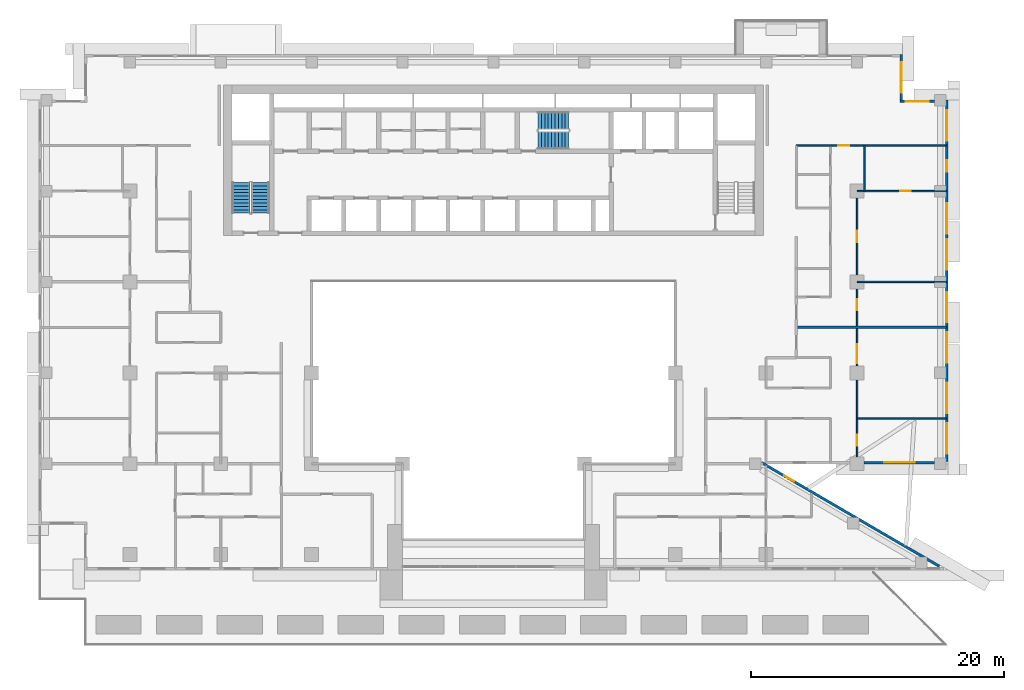
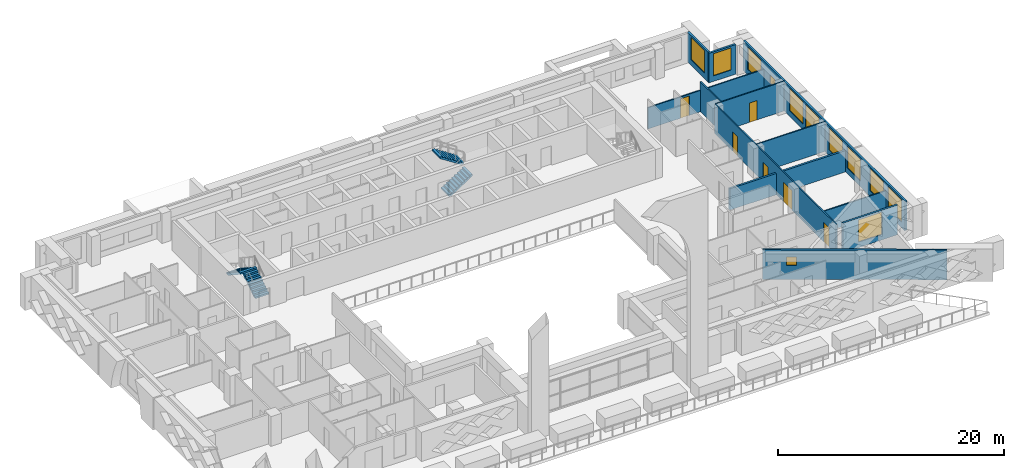
# One storey, part 12 of 17: 12 walls, 12 windows, 6 doors, 4 stair flights, 18 openings, 2 elements without a shape of their own.
"""IFC4 building model written with IfcOpenShell, lengths in metres."""

from ifc_helpers import new_model, si_unit, direction, frame, frame_2d, origin, place, context, subcontext, project, spatial, polyline, rectangle, outline, extrude, material, layer, layer_set, type_object, element, fill, aggregate, save


model = new_model("IFC4")

# Units and contexts
model_context = context("Model", 3, precision=1e-05, world=origin(), true_north=direction((0.0, 1.0)))
body_context = subcontext(model_context, "Body", "Model", "MODEL_VIEW")
ifc_project = project(units=[si_unit("LENGTHUNIT", "METRE"), si_unit("AREAUNIT", "SQUARE_METRE"), si_unit("VOLUMEUNIT", "CUBIC_METRE"), si_unit("PLANEANGLEUNIT", "RADIAN"), si_unit("MASSUNIT", "GRAM", prefix="KILO")], contexts=[model_context])

# Site, building, storey
site_placement = place(None, origin())
site = spatial("IfcSite", under=ifc_project, at=site_placement, CompositionType="ELEMENT")
building_placement = place(site_placement, origin())
building = spatial("IfcBuilding", under=site, at=building_placement, Name="Saffron Iwan Residences", CompositionType="ELEMENT")
storey_placement = place(building_placement, frame((0.0, 0.0, 113.0)))
storey = spatial("IfcBuildingStorey", under=building, at=storey_placement, Name="L29", CompositionType="ELEMENT", Elevation=113.0)

# Wall, opening, window
ifc_material_1 = material(Name="Concrete C40/50", Category="concrete")
ifc_layer_1 = layer(ifc_material_1, 0.199951171875)
ifc_layer_set_1 = layer_set([ifc_layer_1], Name="Concrete C40/50")
wall_type_1 = type_object("IfcWallType", Name="EXTERNAL WALL 200", PredefinedType="SOLIDWALL", material=ifc_layer_set_1)
wall_1_placement = place(storey_placement, frame((85.71923828125, 39.88134765625, 0.0), z_axis=(0.0, 0.0, 1.0), x_axis=(-0.86377618652, 0.503875678716, 0.0)))
wall_1 = element("IfcWall", 1, at=wall_1_placement, inside=storey, type_object=wall_type_1, Name="External wall L29 F0.0", PredefinedType="SOLIDWALL", context=body_context, shape_type="SweptSolid", body=[
    extrude(rectangle(XDim=16.31103515625, YDim=0.199951171875, at=frame_2d((8.155517578125, 0.0))), origin(), (0.0, 0.0, 1.0), 3.199951171875),
])
opening_1_placement = place(wall_1_placement, frame((13.32568359375, 0.0, 1.5)))
opening_1 = element("IfcOpeningElement", 2, at=opening_1_placement, cuts=wall_1, Name="Opening W6", PredefinedType="OPENING", context=body_context, shape_type="SweptSolid", body=[
    extrude(rectangle(XDim=0.89990234375, YDim=0.89990234375, at=frame_2d((0.449951171875, 0.449951171875))), frame((0.0, 0.10986328125, 0.0), z_axis=(0.0, -1.0, 0.0), x_axis=(1.0, 0.0, 0.0)), (0.0, 0.0, 1.0), 0.219970703125),
])
ifc_material_2 = material(Name="Clear glass, laminated double glazed", Category="glass")
window_type_1 = type_object("IfcWindowType", Name="WINDOW 900 x 900 BATH", PartitioningType="SINGLE_PANEL", PredefinedType="WINDOW", material=ifc_material_2)
window_1_placement = place(opening_1_placement, origin())
window_1 = element("IfcWindow", 3, at=window_1_placement, inside=storey, type_object=window_type_1, Name="Window L29 F0.0", OverallHeight=0.89990234375, OverallWidth=0.89990234375, PartitioningType="SINGLE_PANEL", PredefinedType="WINDOW", context=body_context, shape_type="SweptSolid", body=[
    extrude(rectangle(XDim=0.89990234375, YDim=0.89990234375, at=frame_2d((0.449951171875, 0.449951171875))), frame((0.0, 0.030029296875, 0.0), z_axis=(0.0, -1.0, 0.0), x_axis=(1.0, 0.0, 0.0)), (0.0, 0.0, 1.0), 0.06005859375),
])
fill(opening_1, window_1)

wall_2_placement = place(storey_placement, frame((79.75, 48.10009765625, 0.0), z_axis=(0.0, 0.0, 1.0), x_axis=(1.0, 0.0, 0.0)))
wall_2 = element("IfcWall", 4, at=wall_2_placement, inside=storey, type_object=wall_type_1, Name="External wall L29 F1.1", PredefinedType="SOLIDWALL", context=body_context, shape_type="SweptSolid", body=[
    extrude(rectangle(XDim=5.60009765625, YDim=0.199951171875, at=frame_2d((2.800048828125, 0.0))), origin(), (0.0, 0.0, 1.0), 3.199951171875),
])
opening_2_placement = place(wall_2_placement, frame((1.60009765625, 0.0, 0.60009765625)))
opening_2 = element("IfcOpeningElement", 5, at=opening_2_placement, cuts=wall_2, Name="Opening W1", PredefinedType="OPENING", context=body_context, shape_type="SweptSolid", body=[
    extrude(rectangle(XDim=2.39990234375, YDim=2.39990234375, at=frame_2d((1.199951171875, 1.199951171875))), frame((0.0, 0.10986328125, 0.0), z_axis=(0.0, -1.0, 0.0), x_axis=(1.0, 0.0, 0.0)), (0.0, 0.0, 1.0), 0.219970703125),
])
window_type_2 = type_object("IfcWindowType", Name="WINDOW 2400 x 2400", PartitioningType="DOUBLE_PANEL_VERTICAL", PredefinedType="WINDOW", material=ifc_material_2)
window_2_placement = place(opening_2_placement, origin())
window_2 = element("IfcWindow", 6, at=window_2_placement, inside=storey, type_object=window_type_2, Name="Window L29 F1.0", OverallHeight=2.39990234375, OverallWidth=2.39990234375, PartitioningType="DOUBLE_PANEL_VERTICAL", PredefinedType="WINDOW", context=body_context, shape_type="SweptSolid", body=[
    extrude(rectangle(XDim=2.39990234375, YDim=2.39990234375, at=frame_2d((1.199951171875, 1.199951171875))), frame((0.0, 0.030029296875, 0.0), z_axis=(0.0, -1.0, 0.0), x_axis=(1.0, 0.0, 0.0)), (0.0, 0.0, 1.0), 0.06005859375),
])
fill(opening_2, window_2)

# Wall, openings, windows
wall_3_placement = place(storey_placement, frame((86.300048828125, 48.199951171875, 0.0), z_axis=(0.0, 0.0, 1.0), x_axis=(0.0, 1.0, 0.0)))
wall_3 = element("IfcWall", 7, at=wall_3_placement, inside=storey, type_object=wall_type_1, Name="External wall L29 F2.0", PredefinedType="SOLIDWALL", context=body_context, shape_type="SweptSolid", body=[
    extrude(rectangle(XDim=28.60009765625, YDim=0.199951171875, at=frame_2d((14.300048828125, 0.0))), origin(), (0.0, 0.0, 1.0), 3.199951171875),
])
opening_3_placement = place(wall_3_placement, frame((0.60009765625, 0.0, 0.60009765625)))
opening_3 = element("IfcOpeningElement", 8, at=opening_3_placement, cuts=wall_3, Name="Opening W1", PredefinedType="OPENING", context=body_context, shape_type="SweptSolid", body=[
    extrude(rectangle(XDim=2.39990234375, YDim=2.39990234375, at=frame_2d((1.199951171875, 1.199951171875))), frame((0.0, 0.10986328125, 0.0), z_axis=(0.0, -1.0, 0.0), x_axis=(1.0, 0.0, 0.0)), (0.0, 0.0, 1.0), 0.219970703125),
])
opening_4_placement = place(wall_3_placement, frame((3.800048828125, 0.0, 0.60009765625)))
opening_4 = element("IfcOpeningElement", 9, at=opening_4_placement, cuts=wall_3, Name="Opening W1", PredefinedType="OPENING", context=body_context, shape_type="SweptSolid", body=[
    extrude(rectangle(XDim=2.39990234375, YDim=2.39990234375, at=frame_2d((1.199951171875, 1.199951171875))), frame((0.0, 0.10986328125, 0.0), z_axis=(0.0, -1.0, 0.0), x_axis=(1.0, 0.0, 0.0)), (0.0, 0.0, 1.0), 0.219970703125),
])
opening_5_placement = place(wall_3_placement, frame((7.800048828125, 0.0, 0.60009765625)))
opening_5 = element("IfcOpeningElement", 10, at=opening_5_placement, cuts=wall_3, Name="Opening W1", PredefinedType="OPENING", context=body_context, shape_type="SweptSolid", body=[
    extrude(rectangle(XDim=2.39990234375, YDim=2.39990234375, at=frame_2d((1.199951171875, 1.199951171875))), frame((0.0, 0.10986328125, 0.0), z_axis=(0.0, -1.0, 0.0), x_axis=(1.0, 0.0, 0.0)), (0.0, 0.0, 1.0), 0.219970703125),
])
opening_6_placement = place(wall_3_placement, frame((11.0, 0.0, 0.60009765625)))
opening_6 = element("IfcOpeningElement", 11, at=opening_6_placement, cuts=wall_3, Name="Opening W1", PredefinedType="OPENING", context=body_context, shape_type="SweptSolid", body=[
    extrude(rectangle(XDim=2.39990234375, YDim=2.39990234375, at=frame_2d((1.199951171875, 1.199951171875))), frame((0.0, 0.10986328125, 0.0), z_axis=(0.0, -1.0, 0.0), x_axis=(1.0, 0.0, 0.0)), (0.0, 0.0, 1.0), 0.219970703125),
])
opening_7_placement = place(wall_3_placement, frame((15.166748046875, 0.0, 0.60009765625)))
opening_7 = element("IfcOpeningElement", 12, at=opening_7_placement, cuts=wall_3, Name="Opening W1", PredefinedType="OPENING", context=body_context, shape_type="SweptSolid", body=[
    extrude(rectangle(XDim=2.39990234375, YDim=2.39990234375, at=frame_2d((1.199951171875, 1.199951171875))), frame((0.0, 0.10986328125, 0.0), z_axis=(0.0, -1.0, 0.0), x_axis=(1.0, 0.0, 0.0)), (0.0, 0.0, 1.0), 0.219970703125),
])
opening_8_placement = place(wall_3_placement, frame((18.033203125, 0.0, 0.60009765625)))
opening_8 = element("IfcOpeningElement", 13, at=opening_8_placement, cuts=wall_3, Name="Opening W1", PredefinedType="OPENING", context=body_context, shape_type="SweptSolid", body=[
    extrude(rectangle(XDim=2.39990234375, YDim=2.39990234375, at=frame_2d((1.199951171875, 1.199951171875))), frame((0.0, 0.10986328125, 0.0), z_axis=(0.0, -1.0, 0.0), x_axis=(1.0, 0.0, 0.0)), (0.0, 0.0, 1.0), 0.219970703125),
])
opening_9_placement = place(wall_3_placement, frame((22.949951171875, 0.0, 1.5)))
opening_9 = element("IfcOpeningElement", 14, at=opening_9_placement, cuts=wall_3, Name="Opening W6", PredefinedType="OPENING", context=body_context, shape_type="SweptSolid", body=[
    extrude(rectangle(XDim=0.89990234375, YDim=0.89990234375, at=frame_2d((0.449951171875, 0.449951171875))), frame((0.0, 0.10986328125, 0.0), z_axis=(0.0, -1.0, 0.0), x_axis=(1.0, 0.0, 0.0)), (0.0, 0.0, 1.0), 0.219970703125),
])
opening_10_placement = place(wall_3_placement, frame((25.39990234375, 0.0, 0.60009765625)))
opening_10 = element("IfcOpeningElement", 15, at=opening_10_placement, cuts=wall_3, Name="Opening W1", PredefinedType="OPENING", context=body_context, shape_type="SweptSolid", body=[
    extrude(rectangle(XDim=2.39990234375, YDim=2.39990234375, at=frame_2d((1.199951171875, 1.199951171875))), frame((0.0, 0.10986328125, 0.0), z_axis=(0.0, -1.0, 0.0), x_axis=(1.0, 0.0, 0.0)), (0.0, 0.0, 1.0), 0.219970703125),
])
window_3_placement = place(opening_3_placement, origin())
window_3 = element("IfcWindow", 16, at=window_3_placement, inside=storey, type_object=window_type_2, Name="Window L29 F2.0", OverallHeight=2.39990234375, OverallWidth=2.39990234375, PartitioningType="DOUBLE_PANEL_VERTICAL", PredefinedType="WINDOW", context=body_context, shape_type="SweptSolid", body=[
    extrude(rectangle(XDim=2.39990234375, YDim=2.39990234375, at=frame_2d((1.199951171875, 1.199951171875))), frame((0.0, 0.030029296875, 0.0), z_axis=(0.0, -1.0, 0.0), x_axis=(1.0, 0.0, 0.0)), (0.0, 0.0, 1.0), 0.06005859375),
])
fill(opening_3, window_3)
window_4_placement = place(opening_4_placement, origin())
window_4 = element("IfcWindow", 17, at=window_4_placement, inside=storey, type_object=window_type_2, Name="Window L29 F2.1", OverallHeight=2.39990234375, OverallWidth=2.39990234375, PartitioningType="DOUBLE_PANEL_VERTICAL", PredefinedType="WINDOW", context=body_context, shape_type="SweptSolid", body=[
    extrude(rectangle(XDim=2.39990234375, YDim=2.39990234375, at=frame_2d((1.199951171875, 1.199951171875))), frame((0.0, 0.030029296875, 0.0), z_axis=(0.0, -1.0, 0.0), x_axis=(1.0, 0.0, 0.0)), (0.0, 0.0, 1.0), 0.06005859375),
])
fill(opening_4, window_4)
window_5_placement = place(opening_5_placement, origin())
window_5 = element("IfcWindow", 18, at=window_5_placement, inside=storey, type_object=window_type_2, Name="Window L29 F2.2", OverallHeight=2.39990234375, OverallWidth=2.39990234375, PartitioningType="DOUBLE_PANEL_VERTICAL", PredefinedType="WINDOW", context=body_context, shape_type="SweptSolid", body=[
    extrude(rectangle(XDim=2.39990234375, YDim=2.39990234375, at=frame_2d((1.199951171875, 1.199951171875))), frame((0.0, 0.030029296875, 0.0), z_axis=(0.0, -1.0, 0.0), x_axis=(1.0, 0.0, 0.0)), (0.0, 0.0, 1.0), 0.06005859375),
])
fill(opening_5, window_5)
window_6_placement = place(opening_6_placement, origin())
window_6 = element("IfcWindow", 19, at=window_6_placement, inside=storey, type_object=window_type_2, Name="Window L29 F2.3", OverallHeight=2.39990234375, OverallWidth=2.39990234375, PartitioningType="DOUBLE_PANEL_VERTICAL", PredefinedType="WINDOW", context=body_context, shape_type="SweptSolid", body=[
    extrude(rectangle(XDim=2.39990234375, YDim=2.39990234375, at=frame_2d((1.199951171875, 1.199951171875))), frame((0.0, 0.030029296875, 0.0), z_axis=(0.0, -1.0, 0.0), x_axis=(1.0, 0.0, 0.0)), (0.0, 0.0, 1.0), 0.06005859375),
])
fill(opening_6, window_6)
window_7_placement = place(opening_7_placement, origin())
window_7 = element("IfcWindow", 20, at=window_7_placement, inside=storey, type_object=window_type_2, Name="Window L29 F2.4", OverallHeight=2.39990234375, OverallWidth=2.39990234375, PartitioningType="DOUBLE_PANEL_VERTICAL", PredefinedType="WINDOW", context=body_context, shape_type="SweptSolid", body=[
    extrude(rectangle(XDim=2.39990234375, YDim=2.39990234375, at=frame_2d((1.199951171875, 1.199951171875))), frame((0.0, 0.030029296875, 0.0), z_axis=(0.0, -1.0, 0.0), x_axis=(1.0, 0.0, 0.0)), (0.0, 0.0, 1.0), 0.06005859375),
])
fill(opening_7, window_7)
window_8_placement = place(opening_8_placement, origin())
window_8 = element("IfcWindow", 21, at=window_8_placement, inside=storey, type_object=window_type_2, Name="Window L29 F2.5", OverallHeight=2.39990234375, OverallWidth=2.39990234375, PartitioningType="DOUBLE_PANEL_VERTICAL", PredefinedType="WINDOW", context=body_context, shape_type="SweptSolid", body=[
    extrude(rectangle(XDim=2.39990234375, YDim=2.39990234375, at=frame_2d((1.199951171875, 1.199951171875))), frame((0.0, 0.030029296875, 0.0), z_axis=(0.0, -1.0, 0.0), x_axis=(1.0, 0.0, 0.0)), (0.0, 0.0, 1.0), 0.06005859375),
])
fill(opening_8, window_8)
window_9_placement = place(opening_10_placement, origin())
window_9 = element("IfcWindow", 22, at=window_9_placement, inside=storey, type_object=window_type_2, Name="Window L29 F2.7", OverallHeight=2.39990234375, OverallWidth=2.39990234375, PartitioningType="DOUBLE_PANEL_VERTICAL", PredefinedType="WINDOW", context=body_context, shape_type="SweptSolid", body=[
    extrude(rectangle(XDim=2.39990234375, YDim=2.39990234375, at=frame_2d((1.199951171875, 1.199951171875))), frame((0.0, 0.030029296875, 0.0), z_axis=(0.0, -1.0, 0.0), x_axis=(1.0, 0.0, 0.0)), (0.0, 0.0, 1.0), 0.06005859375),
])
fill(opening_10, window_9)
window_10_placement = place(opening_9_placement, origin())
window_10 = element("IfcWindow", 23, at=window_10_placement, inside=storey, type_object=window_type_1, Name="Window L29 F2.6", OverallHeight=0.89990234375, OverallWidth=0.89990234375, PartitioningType="SINGLE_PANEL", PredefinedType="WINDOW", context=body_context, shape_type="SweptSolid", body=[
    extrude(rectangle(XDim=0.89990234375, YDim=0.89990234375, at=frame_2d((0.449951171875, 0.449951171875))), frame((0.0, 0.030029296875, 0.0), z_axis=(0.0, -1.0, 0.0), x_axis=(1.0, 0.0, 0.0)), (0.0, 0.0, 1.0), 0.06005859375),
])
fill(opening_9, window_10)

# Wall, opening, window
wall_4_placement = place(storey_placement, frame((85.35009765625, 76.699951171875, 0.0), z_axis=(0.0, 0.0, 1.0), x_axis=(-1.0, 0.0, 0.0)))
wall_4 = element("IfcWall", 24, at=wall_4_placement, inside=storey, type_object=wall_type_1, Name="External wall L29 F3.0", PredefinedType="SOLIDWALL", context=body_context, shape_type="SweptSolid", body=[
    extrude(rectangle(XDim=2.75, YDim=0.199951171875, at=frame_2d((1.375, 0.0))), origin(), (0.0, 0.0, 1.0), 3.199951171875),
])
opening_11_placement = place(wall_4_placement, frame((0.47509765625, 0.0, 0.60009765625)))
opening_11 = element("IfcOpeningElement", 25, at=opening_11_placement, cuts=wall_4, Name="Opening W8", PredefinedType="OPENING", context=body_context, shape_type="SweptSolid", body=[
    extrude(rectangle(XDim=1.800048828125, YDim=2.39990234375, at=frame_2d((0.89990234375, 1.199951171875))), frame((0.0, 0.10986328125, 0.0), z_axis=(0.0, -1.0, 0.0), x_axis=(1.0, 0.0, 0.0)), (0.0, 0.0, 1.0), 0.219970703125),
])
window_type_3 = type_object("IfcWindowType", Name="WINDOW 1800 x 2400", PartitioningType="DOUBLE_PANEL_VERTICAL", PredefinedType="WINDOW", material=ifc_material_2)
window_11_placement = place(opening_11_placement, origin())
window_11 = element("IfcWindow", 26, at=window_11_placement, inside=storey, type_object=window_type_3, Name="Window L29 F3.0", OverallHeight=2.39990234375, OverallWidth=1.800048828125, PartitioningType="DOUBLE_PANEL_VERTICAL", PredefinedType="WINDOW", context=body_context, shape_type="SweptSolid", body=[
    extrude(rectangle(XDim=1.800048828125, YDim=2.39990234375, at=frame_2d((0.89990234375, 1.199951171875))), frame((0.0, 0.030029296875, 0.0), z_axis=(0.0, -1.0, 0.0), x_axis=(1.0, 0.0, 0.0)), (0.0, 0.0, 1.0), 0.06005859375),
])
fill(opening_11, window_11)

wall_5_placement = place(storey_placement, frame((82.699951171875, 76.800048828125, 0.0), z_axis=(0.0, 0.0, 1.0), x_axis=(0.0, 1.0, 0.0)))
wall_5 = element("IfcWall", 27, at=wall_5_placement, inside=storey, type_object=wall_type_1, Name="External wall L29 F4.0", PredefinedType="SOLIDWALL", context=body_context, shape_type="SweptSolid", body=[
    extrude(rectangle(XDim=3.599853515625, YDim=0.199951171875, at=frame_2d((1.7998046875, 0.0))), origin(), (0.0, 0.0, 1.0), 3.199951171875),
])
opening_12_placement = place(wall_5_placement, frame((0.60009765625, 0.0, 0.60009765625)))
opening_12 = element("IfcOpeningElement", 28, at=opening_12_placement, cuts=wall_5, Name="Opening W1", PredefinedType="OPENING", context=body_context, shape_type="SweptSolid", body=[
    extrude(rectangle(XDim=2.39990234375, YDim=2.39990234375, at=frame_2d((1.199951171875, 1.199951171875))), frame((0.0, 0.10986328125, 0.0), z_axis=(0.0, -1.0, 0.0), x_axis=(1.0, 0.0, 0.0)), (0.0, 0.0, 1.0), 0.219970703125),
])
window_12_placement = place(opening_12_placement, origin())
window_12 = element("IfcWindow", 29, at=window_12_placement, inside=storey, type_object=window_type_2, Name="Window L29 F4.0", OverallHeight=2.39990234375, OverallWidth=2.39990234375, PartitioningType="DOUBLE_PANEL_VERTICAL", PredefinedType="WINDOW", context=body_context, shape_type="SweptSolid", body=[
    extrude(rectangle(XDim=2.39990234375, YDim=2.39990234375, at=frame_2d((1.199951171875, 1.199951171875))), frame((0.0, 0.030029296875, 0.0), z_axis=(0.0, -1.0, 0.0), x_axis=(1.0, 0.0, 0.0)), (0.0, 0.0, 1.0), 0.06005859375),
])
fill(opening_12, window_12)

# Walls
ifc_material_3 = material(Name="Fire-rated gypsum board wall")
ifc_layer_2 = layer(ifc_material_3, 0.199951171875)
ifc_layer_set_2 = layer_set([ifc_layer_2], Name="Fire-rated gypsum board wall")
wall_type_2 = type_object("IfcWallType", Name="Flat demising wall 200", PredefinedType="SOLIDWALL", material=ifc_layer_set_2)
wall_6_placement = place(storey_placement, frame((74.39990234375, 58.800048828125, 0.0), z_axis=(0.0, 0.0, 1.0), x_axis=(1.0, 0.0, 0.0)))
element("IfcWall", 30, at=wall_6_placement, inside=storey, type_object=wall_type_2, Name="W-L29-DEMISE-h58.8-74.4", PredefinedType="SOLIDWALL", context=body_context, shape_type="SweptSolid", body=[
    extrude(rectangle(XDim=11.875, YDim=0.199951171875, at=frame_2d((5.9375, 0.0))), origin(), (0.0, 0.0, 1.0), 2.300048828125),
])
ifc_material_4 = material(Name="Gypsum board partition")
ifc_layer_3 = layer(ifc_material_4, 0.1201171875)
ifc_layer_set_3 = layer_set([ifc_layer_3], Name="Gypsum board partition")
wall_type_3 = type_object("IfcWallType", Name="Flat partition 120", PredefinedType="PARTITIONING", material=ifc_layer_set_3)
wall_7_placement = place(storey_placement, frame((79.199951171875, 51.60009765625, 0.0), z_axis=(0.0, 0.0, 1.0), x_axis=(1.0, 0.0, 0.0)))
element("IfcWall", 31, at=wall_7_placement, inside=storey, type_object=wall_type_3, Name="W-L29-PART-h51.6-79.2", PredefinedType="PARTITIONING", context=body_context, shape_type="SweptSolid", body=[
    extrude(rectangle(XDim=7.074951171875, YDim=0.1201171875, at=frame_2d((3.53759765625, 0.0))), origin(), (0.0, 0.0, 1.0), 2.300048828125),
])
wall_8_placement = place(storey_placement, frame((79.199951171875, 62.39990234375, 0.0), z_axis=(0.0, 0.0, 1.0), x_axis=(1.0, 0.0, 0.0)))
element("IfcWall", 32, at=wall_8_placement, inside=storey, type_object=wall_type_3, Name="W-L29-PART-h62.4-79.2", PredefinedType="PARTITIONING", context=body_context, shape_type="SweptSolid", body=[
    extrude(rectangle(XDim=7.074951171875, YDim=0.1201171875, at=frame_2d((3.53759765625, 0.0))), origin(), (0.0, 0.0, 1.0), 3.199951171875),
])

# Wall, opening, door
wall_9_placement = place(storey_placement, frame((79.199951171875, 69.60009765625, 0.0), z_axis=(0.0, 0.0, 1.0), x_axis=(1.0, 0.0, 0.0)))
wall_9 = element("IfcWall", 33, at=wall_9_placement, inside=storey, type_object=wall_type_3, Name="W-L29-PART-h69.6-79.2", PredefinedType="PARTITIONING", context=body_context, shape_type="SweptSolid", body=[
    extrude(rectangle(XDim=7.074951171875, YDim=0.1201171875, at=frame_2d((3.53759765625, 0.0))), origin(), (0.0, 0.0, 1.0), 3.199951171875),
])
opening_13_placement = place(wall_9_placement, frame((3.4375, 0.0, 0.0)))
opening_13 = element("IfcOpeningElement", 34, at=opening_13_placement, cuts=wall_9, Name="Opening FD3", PredefinedType="OPENING", context=body_context, shape_type="SweptSolid", body=[
    extrude(rectangle(XDim=0.800048828125, YDim=2.10009765625, at=frame_2d((0.39990234375, 1.050048828125))), frame((0.0, 0.070068359375, 0.0), z_axis=(0.0, -1.0, 0.0), x_axis=(1.0, 0.0, 0.0)), (0.0, 0.0, 1.0), 0.14013671875),
])
ifc_material_5 = material(Name="Timber door", Category="wood")
door_type_1 = type_object("IfcDoorType", Name="Bathroom door 800", OperationType="NOTDEFINED", PredefinedType="DOOR", material=ifc_material_5)
door_1_placement = place(opening_13_placement, origin())
door_1 = element("IfcDoor", 35, at=door_1_placement, inside=storey, type_object=door_type_1, Name="Door L29-032", OperationType="SINGLE_SWING_RIGHT", OverallHeight=2.10009765625, OverallWidth=0.800048828125, PredefinedType="DOOR", context=body_context, shape_type="SweptSolid", body=[
    extrude(rectangle(XDim=0.800048828125, YDim=2.10009765625, at=frame_2d((0.39990234375, 1.050048828125))), frame((0.0, 0.02490234375, 0.0), z_axis=(0.0, -1.0, 0.0), x_axis=(1.0, 0.0, 0.0)), (0.0, 0.0, 1.0), 0.050048828125),
])
fill(opening_13, door_1)

wall_10_placement = place(storey_placement, frame((74.39990234375, 73.199951171875, 0.0), z_axis=(0.0, 0.0, 1.0), x_axis=(1.0, 0.0, 0.0)))
wall_10 = element("IfcWall", 36, at=wall_10_placement, inside=storey, type_object=wall_type_3, Name="W-L29-PART-h73.2-74.4", PredefinedType="PARTITIONING", context=body_context, shape_type="SweptSolid", body=[
    extrude(rectangle(XDim=11.875, YDim=0.1201171875, at=frame_2d((5.9375, 0.0))), origin(), (0.0, 0.0, 1.0), 2.300048828125),
])
opening_14_placement = place(wall_10_placement, frame((3.300048828125, 0.0, 0.0)))
opening_14 = element("IfcOpeningElement", 37, at=opening_14_placement, cuts=wall_10, Name="Opening FD2", PredefinedType="OPENING", context=body_context, shape_type="SweptSolid", body=[
    extrude(rectangle(XDim=0.89990234375, YDim=2.10009765625, at=frame_2d((0.449951171875, 1.050048828125))), frame((0.0, 0.070068359375, 0.0), z_axis=(0.0, -1.0, 0.0), x_axis=(1.0, 0.0, 0.0)), (0.0, 0.0, 1.0), 0.14013671875),
])
door_type_2 = type_object("IfcDoorType", Name="Flat door 900", OperationType="NOTDEFINED", PredefinedType="DOOR", material=ifc_material_5)
door_2_placement = place(opening_14_placement, origin())
door_2 = element("IfcDoor", 38, at=door_2_placement, inside=storey, type_object=door_type_2, Name="Door L29-033", OperationType="SINGLE_SWING_LEFT", OverallHeight=2.10009765625, OverallWidth=0.89990234375, PredefinedType="DOOR", context=body_context, shape_type="SweptSolid", body=[
    extrude(rectangle(XDim=0.89990234375, YDim=2.10009765625, at=frame_2d((0.449951171875, 1.050048828125))), frame((0.0, 0.02490234375, 0.0), z_axis=(0.0, -1.0, 0.0), x_axis=(1.0, 0.0, 0.0)), (0.0, 0.0, 1.0), 0.050048828125),
])
fill(opening_14, door_2)

# Wall, openings, doors
wall_11_placement = place(storey_placement, frame((79.199951171875, 48.125, 0.0), z_axis=(0.0, 0.0, 1.0), x_axis=(0.0, 1.0, 0.0)))
wall_11 = element("IfcWall", 39, at=wall_11_placement, inside=storey, type_object=wall_type_3, Name="W-L29-PART-v79.2-48.125", PredefinedType="PARTITIONING", context=body_context, shape_type="SweptSolid", body=[
    extrude(rectangle(XDim=21.47509765625, YDim=0.1201171875, at=frame_2d((10.737548828125, 0.0))), origin(), (0.0, 0.0, 1.0), 3.199951171875),
])
opening_15_placement = place(wall_11_placement, frame((1.28759765625, 0.0, 0.0)))
opening_15 = element("IfcOpeningElement", 40, at=opening_15_placement, cuts=wall_11, Name="Opening FD2", PredefinedType="OPENING", context=body_context, shape_type="SweptSolid", body=[
    extrude(rectangle(XDim=0.89990234375, YDim=2.10009765625, at=frame_2d((0.449951171875, 1.050048828125))), frame((0.0, 0.070068359375, 0.0), z_axis=(0.0, -1.0, 0.0), x_axis=(1.0, 0.0, 0.0)), (0.0, 0.0, 1.0), 0.14013671875),
])
opening_16_placement = place(wall_11_placement, frame((7.824951171875, 0.0, 0.0)))
opening_16 = element("IfcOpeningElement", 41, at=opening_16_placement, cuts=wall_11, Name="Opening FD4", PredefinedType="OPENING", context=body_context, shape_type="SweptSolid", body=[
    extrude(rectangle(XDim=1.5, YDim=2.10009765625, at=frame_2d((0.75, 1.050048828125))), frame((0.0, 0.070068359375, 0.0), z_axis=(0.0, -1.0, 0.0), x_axis=(1.0, 0.0, 0.0)), (0.0, 0.0, 1.0), 0.14013671875),
])
opening_17_placement = place(wall_11_placement, frame((12.02490234375, 0.0, 0.0)))
opening_17 = element("IfcOpeningElement", 42, at=opening_17_placement, cuts=wall_11, Name="Opening FD2", PredefinedType="OPENING", context=body_context, shape_type="SweptSolid", body=[
    extrude(rectangle(XDim=0.89990234375, YDim=2.10009765625, at=frame_2d((0.449951171875, 1.050048828125))), frame((0.0, 0.070068359375, 0.0), z_axis=(0.0, -1.0, 0.0), x_axis=(1.0, 0.0, 0.0)), (0.0, 0.0, 1.0), 0.14013671875),
])
opening_18_placement = place(wall_11_placement, frame((17.425048828125, 0.0, 0.0)))
opening_18 = element("IfcOpeningElement", 43, at=opening_18_placement, cuts=wall_11, Name="Opening FD2", PredefinedType="OPENING", context=body_context, shape_type="SweptSolid", body=[
    extrude(rectangle(XDim=0.89990234375, YDim=2.10009765625, at=frame_2d((0.449951171875, 1.050048828125))), frame((0.0, 0.070068359375, 0.0), z_axis=(0.0, -1.0, 0.0), x_axis=(1.0, 0.0, 0.0)), (0.0, 0.0, 1.0), 0.14013671875),
])
door_type_3 = type_object("IfcDoorType", Name="Double door 1500", OperationType="NOTDEFINED", PredefinedType="DOOR", material=ifc_material_5)
door_3_placement = place(opening_16_placement, origin())
door_3 = element("IfcDoor", 44, at=door_3_placement, inside=storey, type_object=door_type_3, Name="Door L29-018", OperationType="SINGLE_SWING_RIGHT", OverallHeight=2.10009765625, OverallWidth=1.5, PredefinedType="DOOR", context=body_context, shape_type="SweptSolid", body=[
    extrude(rectangle(XDim=1.5, YDim=2.10009765625, at=frame_2d((0.75, 1.050048828125))), frame((0.0, 0.02490234375, 0.0), z_axis=(0.0, -1.0, 0.0), x_axis=(1.0, 0.0, 0.0)), (0.0, 0.0, 1.0), 0.050048828125),
])
fill(opening_16, door_3)
door_4_placement = place(opening_15_placement, origin())
door_4 = element("IfcDoor", 45, at=door_4_placement, inside=storey, type_object=door_type_2, Name="Door L29-017", OperationType="SINGLE_SWING_RIGHT", OverallHeight=2.10009765625, OverallWidth=0.89990234375, PredefinedType="DOOR", context=body_context, shape_type="SweptSolid", body=[
    extrude(rectangle(XDim=0.89990234375, YDim=2.10009765625, at=frame_2d((0.449951171875, 1.050048828125))), frame((0.0, 0.02490234375, 0.0), z_axis=(0.0, -1.0, 0.0), x_axis=(1.0, 0.0, 0.0)), (0.0, 0.0, 1.0), 0.050048828125),
])
fill(opening_15, door_4)
door_5_placement = place(opening_17_placement, origin())
door_5 = element("IfcDoor", 46, at=door_5_placement, inside=storey, type_object=door_type_2, Name="Door L29-030", OperationType="SINGLE_SWING_LEFT", OverallHeight=2.10009765625, OverallWidth=0.89990234375, PredefinedType="DOOR", context=body_context, shape_type="SweptSolid", body=[
    extrude(rectangle(XDim=0.89990234375, YDim=2.10009765625, at=frame_2d((0.449951171875, 1.050048828125))), frame((0.0, 0.02490234375, 0.0), z_axis=(0.0, -1.0, 0.0), x_axis=(1.0, 0.0, 0.0)), (0.0, 0.0, 1.0), 0.050048828125),
])
fill(opening_17, door_5)
door_6_placement = place(opening_18_placement, origin())
door_6 = element("IfcDoor", 47, at=door_6_placement, inside=storey, type_object=door_type_2, Name="Door L29-031", OperationType="SINGLE_SWING_LEFT", OverallHeight=2.10009765625, OverallWidth=0.89990234375, PredefinedType="DOOR", context=body_context, shape_type="SweptSolid", body=[
    extrude(rectangle(XDim=0.89990234375, YDim=2.10009765625, at=frame_2d((0.449951171875, 1.050048828125))), frame((0.0, 0.02490234375, 0.0), z_axis=(0.0, -1.0, 0.0), x_axis=(1.0, 0.0, 0.0)), (0.0, 0.0, 1.0), 0.050048828125),
])
fill(opening_18, door_6)

# Wall
wall_12_placement = place(storey_placement, frame((79.800048828125, 69.60009765625, 0.0), z_axis=(0.0, 0.0, 1.0), x_axis=(0.0, 1.0, 0.0)))
element("IfcWall", 48, at=wall_12_placement, inside=storey, type_object=wall_type_3, Name="W-L29-PART-v79.8-69.6", PredefinedType="PARTITIONING", context=body_context, shape_type="SweptSolid", body=[
    extrude(rectangle(XDim=3.599853515625, YDim=0.1201171875, at=frame_2d((1.7998046875, 0.0))), origin(), (0.0, 0.0, 1.0), 3.199951171875),
])

# Stair, stair flights
ifc_material_6 = material(Name="Concrete C50/60", Category="concrete")
stair_type = type_object("IfcStairType", Name="Stair ST-CORE", PredefinedType="HALF_TURN_STAIR", material=ifc_material_6)
stair_1_placement = place(storey_placement, origin())
stair_1 = element("IfcStair", 49, at=stair_1_placement, inside=storey, type_object=stair_type, Name="L29 Exit Stair ST-W", PredefinedType="HALF_TURN_STAIR")
ifc_layer_4 = layer(ifc_material_6, 0.14990234375)
ifc_layer_set_4 = layer_set([ifc_layer_4], Name="Concrete C50/60")
stair_flight_type = type_object("IfcStairFlightType", Name="Stair flight SFL-RC", PredefinedType="STRAIGHT", material=ifc_layer_set_4)
stair_flight_1_placement = place(storey_placement, frame((31.949951171875, 67.85009765625, 0.0), z_axis=(0.0, 0.0, 1.0), x_axis=(0.0, 1.0, 0.0)))
stair_flight_1 = element("IfcStairFlight", 50, at=stair_flight_1_placement, type_object=stair_flight_type, Name="ST-W flight 1", NumberOfRisers=10, NumberOfTreads=9, PredefinedType="STRAIGHT", RiserHeight=0.175, TreadLength=0.27, context=body_context, shape_type="SweptSolid", body=[
    extrude(outline(polyline([(0.0, 0.0), (0.0, 0.175048828125), (0.27001953125, 0.175048828125), (0.27001953125, 0.35009765625), (0.5400390625, 0.35009765625), (0.5400390625, 0.52490234375), (0.81005859375, 0.52490234375), (0.81005859375, 0.699951171875), (1.080078125, 0.699951171875), (1.080078125, 0.875), (1.35009765625, 0.875), (1.35009765625, 1.050048828125), (1.6201171875, 1.050048828125), (1.6201171875, 1.22509765625), (1.889892578125, 1.22509765625), (1.889892578125, 1.39990234375), (2.159912109375, 1.39990234375), (2.159912109375, 1.574951171875), (2.429931640625, 1.574951171875), (2.429931640625, 1.75), (2.429931640625, 1.396484375), (0.275634765625, 0.0), (0.0, 0.0)])), frame((0.0, 0.699951171875, 0.0), z_axis=(0.0, -1.0, 0.0), x_axis=(1.0, 0.0, 0.0)), (0.0, 0.0, 1.0), 1.39990234375),
])
stair_flight_2_placement = place(storey_placement, frame((30.39990234375, 70.280029296875, 1.75), z_axis=(0.0, 0.0, 1.0), x_axis=(0.0, -1.0, 0.0)))
stair_flight_2 = element("IfcStairFlight", 51, at=stair_flight_2_placement, type_object=stair_flight_type, Name="ST-W flight 2", NumberOfRisers=10, NumberOfTreads=9, PredefinedType="STRAIGHT", RiserHeight=0.175, TreadLength=0.27, context=body_context, shape_type="SweptSolid", body=[
    extrude(outline(polyline([(0.0, 0.0), (0.0, 0.175048828125), (0.27001953125, 0.175048828125), (0.27001953125, 0.35009765625), (0.5400390625, 0.35009765625), (0.5400390625, 0.52490234375), (0.81005859375, 0.52490234375), (0.81005859375, 0.699951171875), (1.080078125, 0.699951171875), (1.080078125, 0.875), (1.35009765625, 0.875), (1.35009765625, 1.050048828125), (1.6201171875, 1.050048828125), (1.6201171875, 1.22509765625), (1.889892578125, 1.22509765625), (1.889892578125, 1.39990234375), (2.159912109375, 1.39990234375), (2.159912109375, 1.574951171875), (2.429931640625, 1.574951171875), (2.429931640625, 1.75), (2.429931640625, 1.396484375), (0.275634765625, 0.0), (0.0, 0.0)])), frame((0.0, 0.699951171875, 0.0), z_axis=(0.0, -1.0, 0.0), x_axis=(1.0, 0.0, 0.0)), (0.0, 0.0, 1.0), 1.39990234375),
])
aggregate(stair_1, [stair_flight_1, stair_flight_2])

stair_2_placement = place(storey_placement, origin())
stair_2 = element("IfcStair", 52, at=stair_2_placement, inside=storey, type_object=stair_type, Name="L29 Exit Stair ST-C", PredefinedType="HALF_TURN_STAIR")
stair_flight_3_placement = place(storey_placement, frame((53.925048828125, 73.625, 0.0), z_axis=(0.0, 0.0, 1.0), x_axis=(1.0, 0.0, 0.0)))
stair_flight_3 = element("IfcStairFlight", 53, at=stair_flight_3_placement, type_object=stair_flight_type, Name="ST-C flight 1", NumberOfRisers=10, NumberOfTreads=9, PredefinedType="STRAIGHT", RiserHeight=0.175, TreadLength=0.27, context=body_context, shape_type="SweptSolid", body=[
    extrude(outline(polyline([(0.0, 0.0), (0.0, 0.175048828125), (0.27001953125, 0.175048828125), (0.27001953125, 0.35009765625), (0.5400390625, 0.35009765625), (0.5400390625, 0.52490234375), (0.81005859375, 0.52490234375), (0.81005859375, 0.699951171875), (1.080078125, 0.699951171875), (1.080078125, 0.875), (1.35009765625, 0.875), (1.35009765625, 1.050048828125), (1.6201171875, 1.050048828125), (1.6201171875, 1.22509765625), (1.889892578125, 1.22509765625), (1.889892578125, 1.39990234375), (2.159912109375, 1.39990234375), (2.159912109375, 1.574951171875), (2.429931640625, 1.574951171875), (2.429931640625, 1.75), (2.429931640625, 1.396484375), (0.275634765625, 0.0), (0.0, 0.0)])), frame((0.0, 0.699951171875, 0.0), z_axis=(0.0, -1.0, 0.0), x_axis=(1.0, 0.0, 0.0)), (0.0, 0.0, 1.0), 1.39990234375),
])
stair_flight_4_placement = place(storey_placement, frame((56.35498046875, 75.175048828125, 1.75), z_axis=(0.0, 0.0, 1.0), x_axis=(-1.0, 0.0, 0.0)))
stair_flight_4 = element("IfcStairFlight", 54, at=stair_flight_4_placement, type_object=stair_flight_type, Name="ST-C flight 2", NumberOfRisers=10, NumberOfTreads=9, PredefinedType="STRAIGHT", RiserHeight=0.175, TreadLength=0.27, context=body_context, shape_type="SweptSolid", body=[
    extrude(outline(polyline([(0.0, 0.0), (0.0, 0.175048828125), (0.27001953125, 0.175048828125), (0.27001953125, 0.35009765625), (0.5400390625, 0.35009765625), (0.5400390625, 0.52490234375), (0.81005859375, 0.52490234375), (0.81005859375, 0.699951171875), (1.080078125, 0.699951171875), (1.080078125, 0.875), (1.35009765625, 0.875), (1.35009765625, 1.050048828125), (1.6201171875, 1.050048828125), (1.6201171875, 1.22509765625), (1.889892578125, 1.22509765625), (1.889892578125, 1.39990234375), (2.159912109375, 1.39990234375), (2.159912109375, 1.574951171875), (2.429931640625, 1.574951171875), (2.429931640625, 1.75), (2.429931640625, 1.396484375), (0.275634765625, 0.0), (0.0, 0.0)])), frame((0.0, 0.699951171875, 0.0), z_axis=(0.0, -1.0, 0.0), x_axis=(1.0, 0.0, 0.0)), (0.0, 0.0, 1.0), 1.39990234375),
])
aggregate(stair_2, [stair_flight_3, stair_flight_4])

save(model, "model.ifc")
